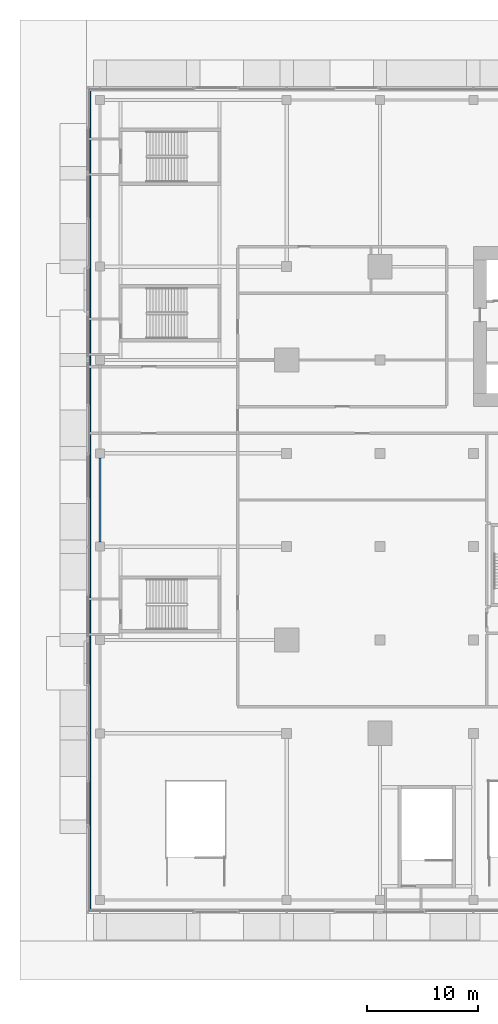
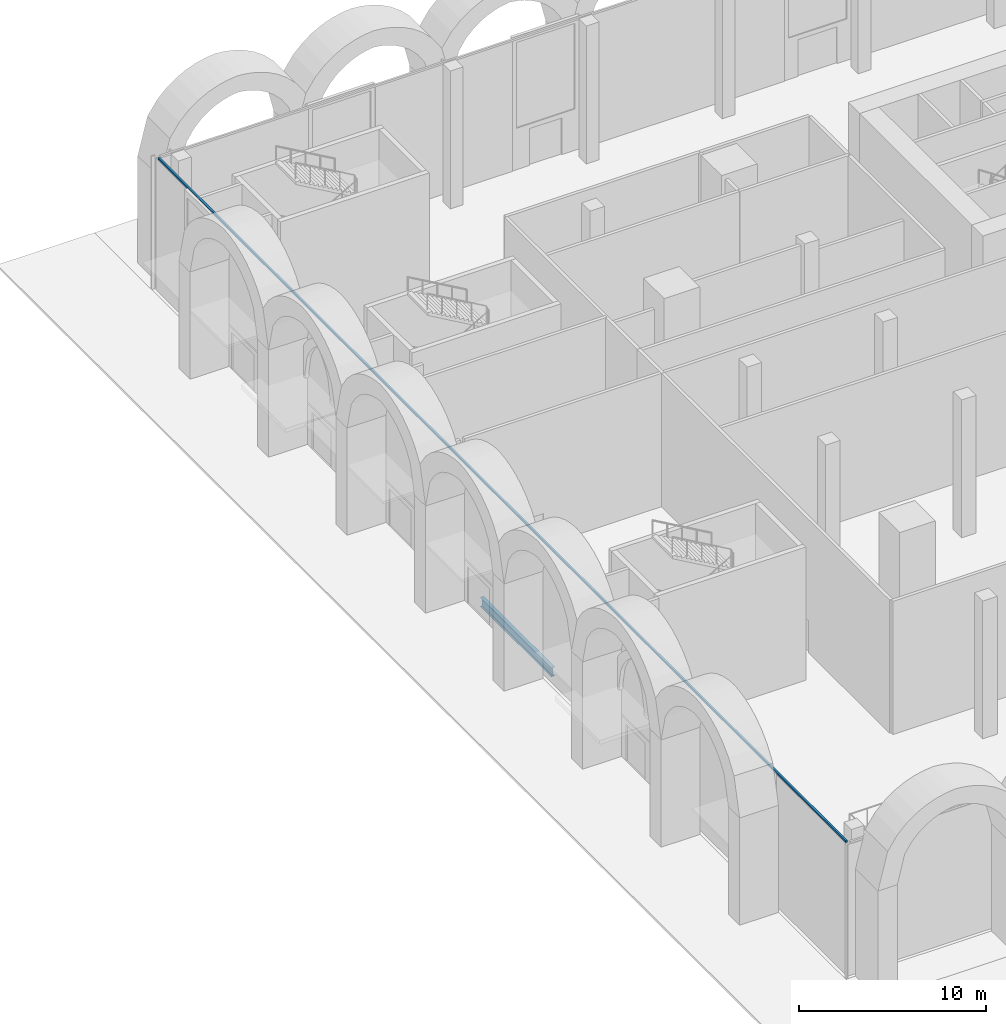
# One storey, part 6 of 43: 1 beam, 1 member, 1 element without a shape of its own.
"""IFC4 building model written with IfcOpenShell, lengths in metres."""

from ifc_helpers import new_model, si_unit, direction, frame, origin, origin_2d, place, context, subcontext, project, spatial, rectangle, i_section, extrude, material, material_profile, profile_set, type_object, element, aggregate, save


model = new_model("IFC4")

# Units and contexts
model_context = context("Model", 3, precision=1e-05, world=origin(), true_north=direction((0.0, 1.0)))
body_context = subcontext(model_context, "Body", "Model", "MODEL_VIEW")
ifc_project = project(units=[si_unit("LENGTHUNIT", "METRE"), si_unit("AREAUNIT", "SQUARE_METRE"), si_unit("VOLUMEUNIT", "CUBIC_METRE"), si_unit("PLANEANGLEUNIT", "RADIAN"), si_unit("MASSUNIT", "GRAM", prefix="KILO")], contexts=[model_context])

# Site, building, storey
site_placement = place(None, origin())
site = spatial("IfcSite", under=ifc_project, at=site_placement, CompositionType="ELEMENT")
building_placement = place(site_placement, origin())
building = spatial("IfcBuilding", under=site, at=building_placement, Name="Saffron Gate Tower", CompositionType="ELEMENT")
storey_placement = place(building_placement, origin())
storey = spatial("IfcBuildingStorey", under=building, at=storey_placement, Name="L00", CompositionType="ELEMENT", Elevation=0.0)

# Beam
ifc_material_1 = material(Name="Structural steel S355", Category="steel")
ifc_material_profile_1 = material_profile(ifc_material_1, i_section(OverallWidth=0.219970703125, OverallDepth=0.60009765625, WebThickness=0.011962890625, FlangeThickness=0.01904296875, FilletRadius=0.02392578125, at=origin_2d()))
ifc_profile_set_1 = profile_set([ifc_material_profile_1], Name="Structural steel S355")
beam_type = type_object("IfcBeamType", Name="B15 IPE 600", PredefinedType="BEAM", material=ifc_profile_set_1)
beam_placement = place(storey_placement, frame((33.0, 49.0, -0.60009765625), z_axis=(0.0, 1.0, 0.0), x_axis=(-1.0, 0.0, 0.0)))
element("IfcBeam", 1, at=beam_placement, inside=storey, type_object=beam_type, Name="B15 PODIUM EDGE BEAM", PredefinedType="BEAM", context=body_context, shape_type="SweptSolid", body=[
    extrude(i_section(OverallWidth=0.219970703125, OverallDepth=0.60009765625, WebThickness=0.011962890625, FlangeThickness=0.01904296875, FilletRadius=0.02392578125, at=origin_2d()), origin(), (0.0, 0.0, 1.0), 7.60009765625),
])

# Curtain wall, member
ifc_material_2 = material(Name="Aluminium, bronze anodised", Category="aluminium")
curtain_wall_type = type_object("IfcCurtainWallType", Name="CWS5 curtain wall podium ring base", PredefinedType="NOTDEFINED", material=ifc_material_2)
curtain_wall_placement = place(storey_placement, origin())
curtain_wall = element("IfcCurtainWall", 2, at=curtain_wall_placement, inside=storey, type_object=curtain_wall_type, Name="CWS5 run 4", PredefinedType="NOTDEFINED")
ifc_material_profile_2 = material_profile(ifc_material_2, rectangle(XDim=0.1201171875, YDim=0.1201171875, at=origin_2d()))
ifc_profile_set_2 = profile_set([ifc_material_profile_2], Name="Aluminium, bronze anodised")
member_type = type_object("IfcMemberType", Name="CWS5 head transom", PredefinedType="USERDEFINED", material=ifc_profile_set_2)
member_placement = place(storey_placement, frame((32.087890625, 89.592041015625, 8.639892578125), z_axis=(0.0, -1.0, 0.0), x_axis=(1.0, 0.0, 0.0)))
member = element("IfcMember", 3, at=member_placement, type_object=member_type, Name="CWS5 head transom", ObjectType="TRANSOM", PredefinedType="USERDEFINED", context=body_context, shape_type="SweptSolid", body=[
    extrude(rectangle(XDim=0.1201171875, YDim=0.1201171875, at=origin_2d()), origin(), (0.0, 0.0, 1.0), 73.583984375),
])
aggregate(curtain_wall, [member])

save(model, "model.ifc")
